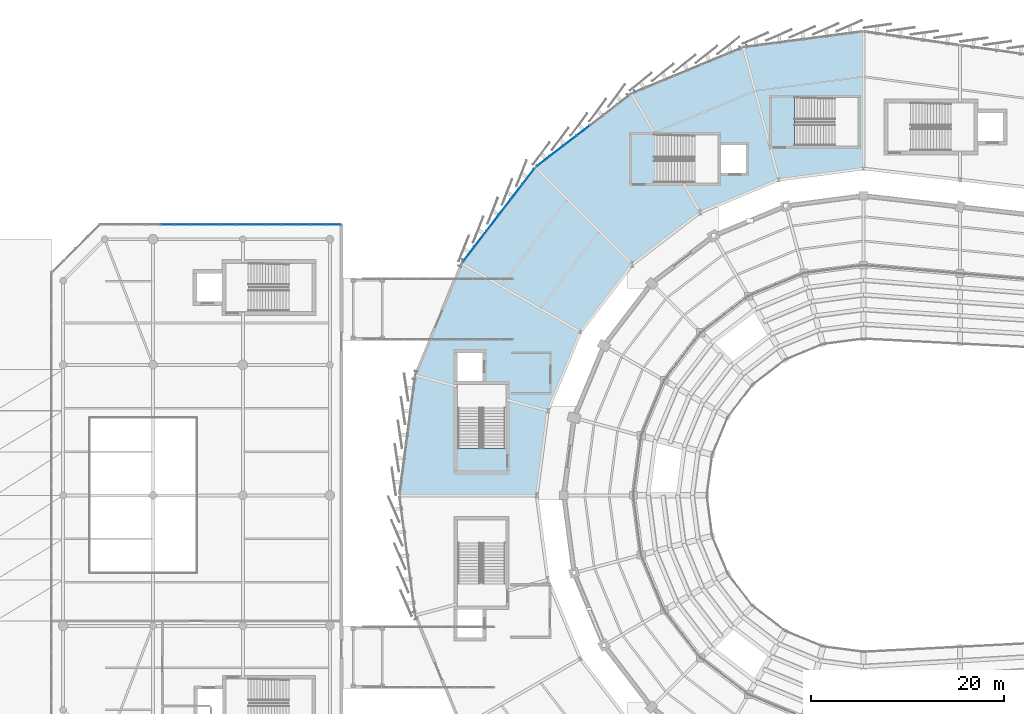
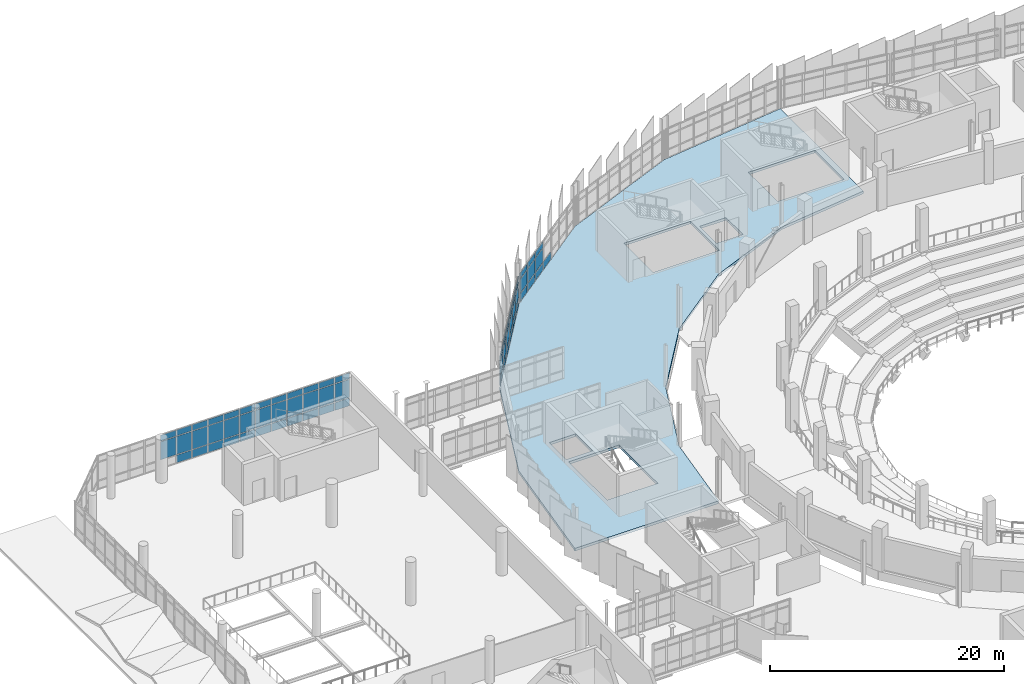
# One storey, part 92 of 134: 63 plates, 1 slab, 3 elements without a shape of their own.
"""IFC4 building model written with IfcOpenShell, lengths in metres."""

from ifc_helpers import new_model, si_unit, direction, frame, origin, origin_2d, place, context, subcontext, project, spatial, polyline, rectangle, outline, extrude, material, layer, layer_set, type_object, element, aggregate, save


model = new_model("IFC4")

# Units and contexts
model_context = context("Model", 3, precision=1e-05, world=origin(), true_north=direction((0.0, 1.0)))
body_context = subcontext(model_context, "Body", "Model", "MODEL_VIEW")
ifc_project = project(units=[si_unit("LENGTHUNIT", "METRE"), si_unit("AREAUNIT", "SQUARE_METRE"), si_unit("VOLUMEUNIT", "CUBIC_METRE"), si_unit("PLANEANGLEUNIT", "RADIAN"), si_unit("MASSUNIT", "GRAM", prefix="KILO")], contexts=[model_context])

# Site, building, storey
site_placement = place(None, origin())
site = spatial("IfcSite", under=ifc_project, at=site_placement, CompositionType="ELEMENT")
building_placement = place(site_placement, origin())
building = spatial("IfcBuilding", under=site, at=building_placement, Name="Sohan Crest Arena", CompositionType="ELEMENT")
storey_placement = place(building_placement, frame((0.0, 0.0, 4.5)))
storey = spatial("IfcBuildingStorey", under=building, at=storey_placement, Name="L01", CompositionType="ELEMENT", Elevation=4.5)

# Curtain wall, plates
ifc_material_1 = material(Name="Thermally broken anodised aluminium", Category="aluminium")
ifc_layer_1 = layer(ifc_material_1, 0.199951171875, Name="Thermally broken anodised aluminium")
ifc_layer_set_1 = layer_set([ifc_layer_1], Name="Thermally broken anodised aluminium")
curtain_wall_type_1 = type_object("IfcCurtainWallType", Name="ARC-CW02", PredefinedType="NOTDEFINED", material=ifc_layer_set_1)
curtain_wall_1_placement = place(storey_placement, origin())
curtain_wall_1 = element("IfcCurtainWall", 1, at=curtain_wall_1_placement, inside=storey, type_object=curtain_wall_type_1, Name="Unitised curtain wall CW-207", PredefinedType="NOTDEFINED")
ifc_material_2 = material(Name="Low-E double-glazed insulated glass", Category="glass")
ifc_layer_2 = layer(ifc_material_2, 0.028076171875, Name="Low-E double-glazed insulated glass")
ifc_layer_set_2 = layer_set([ifc_layer_2], Name="Low-E double-glazed insulated glass")
plate_type_1 = type_object("IfcPlateType", Name="ARC-CNP01", PredefinedType="CURTAIN_PANEL", material=ifc_layer_set_2)
plate_1_placement = place(storey_placement, frame((43.202392578125, 106.0, 0.06005859375), z_axis=(0.0, 0.0, 1.0), x_axis=(-1.0, 0.0, 0.0)))
plate_1 = element("IfcPlate", 2, at=plate_1_placement, type_object=plate_type_1, Name="CW-207 panel 1.1", PredefinedType="CURTAIN_PANEL", context=body_context, shape_type="SweptSolid", body=[
    extrude(rectangle(XDim=1.465087890625, YDim=0.028076171875, at=origin_2d()), origin(), (0.0, 0.0, 1.0), 0.81005859375),
])
plate_2_placement = place(storey_placement, frame((43.202392578125, 106.0, 0.93017578125), z_axis=(0.0, 0.0, 1.0), x_axis=(-1.0, 0.0, 0.0)))
plate_2 = element("IfcPlate", 3, at=plate_2_placement, type_object=plate_type_1, Name="CW-207 panel 1.2", PredefinedType="CURTAIN_PANEL", context=body_context, shape_type="SweptSolid", body=[
    extrude(rectangle(XDim=1.465087890625, YDim=0.028076171875, at=origin_2d()), origin(), (0.0, 0.0, 1.0), 1.889892578125),
])
plate_3_placement = place(storey_placement, frame((43.202392578125, 106.0, 2.8798828125), z_axis=(0.0, 0.0, 1.0), x_axis=(-1.0, 0.0, 0.0)))
plate_3 = element("IfcPlate", 4, at=plate_3_placement, type_object=plate_type_1, Name="CW-207 panel 1.3", PredefinedType="CURTAIN_PANEL", context=body_context, shape_type="SweptSolid", body=[
    extrude(rectangle(XDim=1.465087890625, YDim=0.028076171875, at=origin_2d()), origin(), (0.0, 0.0, 1.0), 0.610107421875),
])
plate_4_placement = place(storey_placement, frame((41.65625, 106.0, 0.06005859375), z_axis=(0.0, 0.0, 1.0), x_axis=(-1.0, 0.0, 0.0)))
plate_4 = element("IfcPlate", 5, at=plate_4_placement, type_object=plate_type_1, Name="CW-207 panel 2.1", PredefinedType="CURTAIN_PANEL", context=body_context, shape_type="SweptSolid", body=[
    extrude(rectangle(XDim=1.49755859375, YDim=0.028076171875, at=origin_2d()), origin(), (0.0, 0.0, 1.0), 0.81005859375),
])
plate_5_placement = place(storey_placement, frame((41.65625, 106.0, 0.93017578125), z_axis=(0.0, 0.0, 1.0), x_axis=(-1.0, 0.0, 0.0)))
plate_5 = element("IfcPlate", 6, at=plate_5_placement, type_object=plate_type_1, Name="CW-207 panel 2.2", PredefinedType="CURTAIN_PANEL", context=body_context, shape_type="SweptSolid", body=[
    extrude(rectangle(XDim=1.49755859375, YDim=0.028076171875, at=origin_2d()), origin(), (0.0, 0.0, 1.0), 1.889892578125),
])
plate_6_placement = place(storey_placement, frame((41.65625, 106.0, 2.8798828125), z_axis=(0.0, 0.0, 1.0), x_axis=(-1.0, 0.0, 0.0)))
plate_6 = element("IfcPlate", 7, at=plate_6_placement, type_object=plate_type_1, Name="CW-207 panel 2.3", PredefinedType="CURTAIN_PANEL", context=body_context, shape_type="SweptSolid", body=[
    extrude(rectangle(XDim=1.49755859375, YDim=0.028076171875, at=origin_2d()), origin(), (0.0, 0.0, 1.0), 0.610107421875),
])
plate_7_placement = place(storey_placement, frame((40.09375, 106.0, 0.06005859375), z_axis=(0.0, 0.0, 1.0), x_axis=(-1.0, 0.0, 0.0)))
plate_7 = element("IfcPlate", 8, at=plate_7_placement, type_object=plate_type_1, Name="CW-207 panel 3.1", PredefinedType="CURTAIN_PANEL", context=body_context, shape_type="SweptSolid", body=[
    extrude(rectangle(XDim=1.49755859375, YDim=0.028076171875, at=origin_2d()), origin(), (0.0, 0.0, 1.0), 0.81005859375),
])
plate_8_placement = place(storey_placement, frame((40.09375, 106.0, 0.93017578125), z_axis=(0.0, 0.0, 1.0), x_axis=(-1.0, 0.0, 0.0)))
plate_8 = element("IfcPlate", 9, at=plate_8_placement, type_object=plate_type_1, Name="CW-207 panel 3.2", PredefinedType="CURTAIN_PANEL", context=body_context, shape_type="SweptSolid", body=[
    extrude(rectangle(XDim=1.49755859375, YDim=0.028076171875, at=origin_2d()), origin(), (0.0, 0.0, 1.0), 1.889892578125),
])
plate_9_placement = place(storey_placement, frame((40.09375, 106.0, 2.8798828125), z_axis=(0.0, 0.0, 1.0), x_axis=(-1.0, 0.0, 0.0)))
plate_9 = element("IfcPlate", 10, at=plate_9_placement, type_object=plate_type_1, Name="CW-207 panel 3.3", PredefinedType="CURTAIN_PANEL", context=body_context, shape_type="SweptSolid", body=[
    extrude(rectangle(XDim=1.49755859375, YDim=0.028076171875, at=origin_2d()), origin(), (0.0, 0.0, 1.0), 0.610107421875),
])
plate_10_placement = place(storey_placement, frame((38.53125, 106.0, 0.06005859375), z_axis=(0.0, 0.0, 1.0), x_axis=(-1.0, 0.0, 0.0)))
plate_10 = element("IfcPlate", 11, at=plate_10_placement, type_object=plate_type_1, Name="CW-207 panel 4.1", PredefinedType="CURTAIN_PANEL", context=body_context, shape_type="SweptSolid", body=[
    extrude(rectangle(XDim=1.49755859375, YDim=0.028076171875, at=origin_2d()), origin(), (0.0, 0.0, 1.0), 0.81005859375),
])
plate_11_placement = place(storey_placement, frame((38.53125, 106.0, 0.93017578125), z_axis=(0.0, 0.0, 1.0), x_axis=(-1.0, 0.0, 0.0)))
plate_11 = element("IfcPlate", 12, at=plate_11_placement, type_object=plate_type_1, Name="CW-207 panel 4.2", PredefinedType="CURTAIN_PANEL", context=body_context, shape_type="SweptSolid", body=[
    extrude(rectangle(XDim=1.49755859375, YDim=0.028076171875, at=origin_2d()), origin(), (0.0, 0.0, 1.0), 1.889892578125),
])
plate_12_placement = place(storey_placement, frame((38.53125, 106.0, 2.8798828125), z_axis=(0.0, 0.0, 1.0), x_axis=(-1.0, 0.0, 0.0)))
plate_12 = element("IfcPlate", 13, at=plate_12_placement, type_object=plate_type_1, Name="CW-207 panel 4.3", PredefinedType="CURTAIN_PANEL", context=body_context, shape_type="SweptSolid", body=[
    extrude(rectangle(XDim=1.49755859375, YDim=0.028076171875, at=origin_2d()), origin(), (0.0, 0.0, 1.0), 0.610107421875),
])
plate_13_placement = place(storey_placement, frame((36.96875, 106.0, 0.06005859375), z_axis=(0.0, 0.0, 1.0), x_axis=(-1.0, 0.0, 0.0)))
plate_13 = element("IfcPlate", 14, at=plate_13_placement, type_object=plate_type_1, Name="CW-207 panel 5.1", PredefinedType="CURTAIN_PANEL", context=body_context, shape_type="SweptSolid", body=[
    extrude(rectangle(XDim=1.49755859375, YDim=0.028076171875, at=origin_2d()), origin(), (0.0, 0.0, 1.0), 0.81005859375),
])
plate_14_placement = place(storey_placement, frame((36.96875, 106.0, 0.93017578125), z_axis=(0.0, 0.0, 1.0), x_axis=(-1.0, 0.0, 0.0)))
plate_14 = element("IfcPlate", 15, at=plate_14_placement, type_object=plate_type_1, Name="CW-207 panel 5.2", PredefinedType="CURTAIN_PANEL", context=body_context, shape_type="SweptSolid", body=[
    extrude(rectangle(XDim=1.49755859375, YDim=0.028076171875, at=origin_2d()), origin(), (0.0, 0.0, 1.0), 1.889892578125),
])
plate_15_placement = place(storey_placement, frame((36.96875, 106.0, 2.8798828125), z_axis=(0.0, 0.0, 1.0), x_axis=(-1.0, 0.0, 0.0)))
plate_15 = element("IfcPlate", 16, at=plate_15_placement, type_object=plate_type_1, Name="CW-207 panel 5.3", PredefinedType="CURTAIN_PANEL", context=body_context, shape_type="SweptSolid", body=[
    extrude(rectangle(XDim=1.49755859375, YDim=0.028076171875, at=origin_2d()), origin(), (0.0, 0.0, 1.0), 0.610107421875),
])
plate_16_placement = place(storey_placement, frame((35.40625, 106.0, 0.06005859375), z_axis=(0.0, 0.0, 1.0), x_axis=(-1.0, 0.0, 0.0)))
plate_16 = element("IfcPlate", 17, at=plate_16_placement, type_object=plate_type_1, Name="CW-207 panel 6.1", PredefinedType="CURTAIN_PANEL", context=body_context, shape_type="SweptSolid", body=[
    extrude(rectangle(XDim=1.49755859375, YDim=0.028076171875, at=origin_2d()), origin(), (0.0, 0.0, 1.0), 0.81005859375),
])
plate_17_placement = place(storey_placement, frame((35.40625, 106.0, 0.93017578125), z_axis=(0.0, 0.0, 1.0), x_axis=(-1.0, 0.0, 0.0)))
plate_17 = element("IfcPlate", 18, at=plate_17_placement, type_object=plate_type_1, Name="CW-207 panel 6.2", PredefinedType="CURTAIN_PANEL", context=body_context, shape_type="SweptSolid", body=[
    extrude(rectangle(XDim=1.49755859375, YDim=0.028076171875, at=origin_2d()), origin(), (0.0, 0.0, 1.0), 1.889892578125),
])
plate_18_placement = place(storey_placement, frame((35.40625, 106.0, 2.8798828125), z_axis=(0.0, 0.0, 1.0), x_axis=(-1.0, 0.0, 0.0)))
plate_18 = element("IfcPlate", 19, at=plate_18_placement, type_object=plate_type_1, Name="CW-207 panel 6.3", PredefinedType="CURTAIN_PANEL", context=body_context, shape_type="SweptSolid", body=[
    extrude(rectangle(XDim=1.49755859375, YDim=0.028076171875, at=origin_2d()), origin(), (0.0, 0.0, 1.0), 0.610107421875),
])
plate_19_placement = place(storey_placement, frame((33.84375, 106.0, 0.06005859375), z_axis=(0.0, 0.0, 1.0), x_axis=(-1.0, 0.0, 0.0)))
plate_19 = element("IfcPlate", 20, at=plate_19_placement, type_object=plate_type_1, Name="CW-207 panel 7.1", PredefinedType="CURTAIN_PANEL", context=body_context, shape_type="SweptSolid", body=[
    extrude(rectangle(XDim=1.49755859375, YDim=0.028076171875, at=origin_2d()), origin(), (0.0, 0.0, 1.0), 0.81005859375),
])
plate_20_placement = place(storey_placement, frame((33.84375, 106.0, 0.93017578125), z_axis=(0.0, 0.0, 1.0), x_axis=(-1.0, 0.0, 0.0)))
plate_20 = element("IfcPlate", 21, at=plate_20_placement, type_object=plate_type_1, Name="CW-207 panel 7.2", PredefinedType="CURTAIN_PANEL", context=body_context, shape_type="SweptSolid", body=[
    extrude(rectangle(XDim=1.49755859375, YDim=0.028076171875, at=origin_2d()), origin(), (0.0, 0.0, 1.0), 1.889892578125),
])
plate_21_placement = place(storey_placement, frame((33.84375, 106.0, 2.8798828125), z_axis=(0.0, 0.0, 1.0), x_axis=(-1.0, 0.0, 0.0)))
plate_21 = element("IfcPlate", 22, at=plate_21_placement, type_object=plate_type_1, Name="CW-207 panel 7.3", PredefinedType="CURTAIN_PANEL", context=body_context, shape_type="SweptSolid", body=[
    extrude(rectangle(XDim=1.49755859375, YDim=0.028076171875, at=origin_2d()), origin(), (0.0, 0.0, 1.0), 0.610107421875),
])
plate_22_placement = place(storey_placement, frame((32.28125, 106.0, 0.06005859375), z_axis=(0.0, 0.0, 1.0), x_axis=(-1.0, 0.0, 0.0)))
plate_22 = element("IfcPlate", 23, at=plate_22_placement, type_object=plate_type_1, Name="CW-207 panel 8.1", PredefinedType="CURTAIN_PANEL", context=body_context, shape_type="SweptSolid", body=[
    extrude(rectangle(XDim=1.49755859375, YDim=0.028076171875, at=origin_2d()), origin(), (0.0, 0.0, 1.0), 0.81005859375),
])
plate_23_placement = place(storey_placement, frame((32.28125, 106.0, 0.93017578125), z_axis=(0.0, 0.0, 1.0), x_axis=(-1.0, 0.0, 0.0)))
plate_23 = element("IfcPlate", 24, at=plate_23_placement, type_object=plate_type_1, Name="CW-207 panel 8.2", PredefinedType="CURTAIN_PANEL", context=body_context, shape_type="SweptSolid", body=[
    extrude(rectangle(XDim=1.49755859375, YDim=0.028076171875, at=origin_2d()), origin(), (0.0, 0.0, 1.0), 1.889892578125),
])
plate_24_placement = place(storey_placement, frame((32.28125, 106.0, 2.8798828125), z_axis=(0.0, 0.0, 1.0), x_axis=(-1.0, 0.0, 0.0)))
plate_24 = element("IfcPlate", 25, at=plate_24_placement, type_object=plate_type_1, Name="CW-207 panel 8.3", PredefinedType="CURTAIN_PANEL", context=body_context, shape_type="SweptSolid", body=[
    extrude(rectangle(XDim=1.49755859375, YDim=0.028076171875, at=origin_2d()), origin(), (0.0, 0.0, 1.0), 0.610107421875),
])
plate_25_placement = place(storey_placement, frame((30.71875, 106.0, 0.06005859375), z_axis=(0.0, 0.0, 1.0), x_axis=(-1.0, 0.0, 0.0)))
plate_25 = element("IfcPlate", 26, at=plate_25_placement, type_object=plate_type_1, Name="CW-207 panel 9.1", PredefinedType="CURTAIN_PANEL", context=body_context, shape_type="SweptSolid", body=[
    extrude(rectangle(XDim=1.49755859375, YDim=0.028076171875, at=origin_2d()), origin(), (0.0, 0.0, 1.0), 0.81005859375),
])
plate_26_placement = place(storey_placement, frame((30.71875, 106.0, 0.93017578125), z_axis=(0.0, 0.0, 1.0), x_axis=(-1.0, 0.0, 0.0)))
plate_26 = element("IfcPlate", 27, at=plate_26_placement, type_object=plate_type_1, Name="CW-207 panel 9.2", PredefinedType="CURTAIN_PANEL", context=body_context, shape_type="SweptSolid", body=[
    extrude(rectangle(XDim=1.49755859375, YDim=0.028076171875, at=origin_2d()), origin(), (0.0, 0.0, 1.0), 1.889892578125),
])
plate_27_placement = place(storey_placement, frame((30.71875, 106.0, 2.8798828125), z_axis=(0.0, 0.0, 1.0), x_axis=(-1.0, 0.0, 0.0)))
plate_27 = element("IfcPlate", 28, at=plate_27_placement, type_object=plate_type_1, Name="CW-207 panel 9.3", PredefinedType="CURTAIN_PANEL", context=body_context, shape_type="SweptSolid", body=[
    extrude(rectangle(XDim=1.49755859375, YDim=0.028076171875, at=origin_2d()), origin(), (0.0, 0.0, 1.0), 0.610107421875),
])
plate_28_placement = place(storey_placement, frame((29.15625, 106.0, 0.06005859375), z_axis=(0.0, 0.0, 1.0), x_axis=(-1.0, 0.0, 0.0)))
plate_28 = element("IfcPlate", 29, at=plate_28_placement, type_object=plate_type_1, Name="CW-207 panel 10.1", PredefinedType="CURTAIN_PANEL", context=body_context, shape_type="SweptSolid", body=[
    extrude(rectangle(XDim=1.49755859375, YDim=0.028076171875, at=origin_2d()), origin(), (0.0, 0.0, 1.0), 0.81005859375),
])
plate_29_placement = place(storey_placement, frame((29.15625, 106.0, 0.93017578125), z_axis=(0.0, 0.0, 1.0), x_axis=(-1.0, 0.0, 0.0)))
plate_29 = element("IfcPlate", 30, at=plate_29_placement, type_object=plate_type_1, Name="CW-207 panel 10.2", PredefinedType="CURTAIN_PANEL", context=body_context, shape_type="SweptSolid", body=[
    extrude(rectangle(XDim=1.49755859375, YDim=0.028076171875, at=origin_2d()), origin(), (0.0, 0.0, 1.0), 1.889892578125),
])
plate_30_placement = place(storey_placement, frame((29.15625, 106.0, 2.8798828125), z_axis=(0.0, 0.0, 1.0), x_axis=(-1.0, 0.0, 0.0)))
plate_30 = element("IfcPlate", 31, at=plate_30_placement, type_object=plate_type_1, Name="CW-207 panel 10.3", PredefinedType="CURTAIN_PANEL", context=body_context, shape_type="SweptSolid", body=[
    extrude(rectangle(XDim=1.49755859375, YDim=0.028076171875, at=origin_2d()), origin(), (0.0, 0.0, 1.0), 0.610107421875),
])
plate_31_placement = place(storey_placement, frame((27.59375, 106.0, 0.06005859375), z_axis=(0.0, 0.0, 1.0), x_axis=(-1.0, 0.0, 0.0)))
plate_31 = element("IfcPlate", 32, at=plate_31_placement, type_object=plate_type_1, Name="CW-207 panel 11.1", PredefinedType="CURTAIN_PANEL", context=body_context, shape_type="SweptSolid", body=[
    extrude(rectangle(XDim=1.49755859375, YDim=0.028076171875, at=origin_2d()), origin(), (0.0, 0.0, 1.0), 0.81005859375),
])
plate_32_placement = place(storey_placement, frame((27.59375, 106.0, 0.93017578125), z_axis=(0.0, 0.0, 1.0), x_axis=(-1.0, 0.0, 0.0)))
plate_32 = element("IfcPlate", 33, at=plate_32_placement, type_object=plate_type_1, Name="CW-207 panel 11.2", PredefinedType="CURTAIN_PANEL", context=body_context, shape_type="SweptSolid", body=[
    extrude(rectangle(XDim=1.49755859375, YDim=0.028076171875, at=origin_2d()), origin(), (0.0, 0.0, 1.0), 1.889892578125),
])
plate_33_placement = place(storey_placement, frame((27.59375, 106.0, 2.8798828125), z_axis=(0.0, 0.0, 1.0), x_axis=(-1.0, 0.0, 0.0)))
plate_33 = element("IfcPlate", 34, at=plate_33_placement, type_object=plate_type_1, Name="CW-207 panel 11.3", PredefinedType="CURTAIN_PANEL", context=body_context, shape_type="SweptSolid", body=[
    extrude(rectangle(XDim=1.49755859375, YDim=0.028076171875, at=origin_2d()), origin(), (0.0, 0.0, 1.0), 0.610107421875),
])
plate_34_placement = place(storey_placement, frame((26.03125, 106.0, 0.93017578125), z_axis=(0.0, 0.0, 1.0), x_axis=(-1.0, 0.0, 0.0)))
plate_34 = element("IfcPlate", 35, at=plate_34_placement, type_object=plate_type_1, Name="CW-207 panel 12.2", PredefinedType="CURTAIN_PANEL", context=body_context, shape_type="SweptSolid", body=[
    extrude(rectangle(XDim=1.49755859375, YDim=0.028076171875, at=origin_2d()), origin(), (0.0, 0.0, 1.0), 1.889892578125),
])
plate_35_placement = place(storey_placement, frame((26.03125, 106.0, 2.8798828125), z_axis=(0.0, 0.0, 1.0), x_axis=(-1.0, 0.0, 0.0)))
plate_35 = element("IfcPlate", 36, at=plate_35_placement, type_object=plate_type_1, Name="CW-207 panel 12.3", PredefinedType="CURTAIN_PANEL", context=body_context, shape_type="SweptSolid", body=[
    extrude(rectangle(XDim=1.49755859375, YDim=0.028076171875, at=origin_2d()), origin(), (0.0, 0.0, 1.0), 0.610107421875),
])
aggregate(curtain_wall_1, [plate_1, plate_2, plate_3, plate_4, plate_5, plate_6, plate_7, plate_8, plate_9, plate_10, plate_11, plate_12, plate_13, plate_14, plate_15, plate_16, plate_17, plate_18, plate_19, plate_20, plate_21, plate_22, plate_23, plate_24, plate_25, plate_26, plate_27, plate_28, plate_29, plate_30, plate_31, plate_32, plate_33, plate_34, plate_35])

ifc_layer_3 = layer(ifc_material_1, 0.219970703125, Name="Thermally broken anodised aluminium")
ifc_layer_set_3 = layer_set([ifc_layer_3], Name="Thermally broken anodised aluminium")
curtain_wall_type_2 = type_object("IfcCurtainWallType", Name="ARC-CW03", PredefinedType="NOTDEFINED", material=ifc_layer_set_3)
curtain_wall_2_placement = place(storey_placement, origin())
curtain_wall_2 = element("IfcCurtainWall", 37, at=curtain_wall_2_placement, inside=storey, type_object=curtain_wall_type_2, Name="Unitised curtain wall CW-022", PredefinedType="NOTDEFINED")
ifc_material_3 = material(Name="Ceramic-fritted solar-control insulated glass", Category="glass")
ifc_layer_4 = layer(ifc_material_3, 0.035888671875, Name="Ceramic-fritted solar-control insulated glass")
ifc_layer_set_4 = layer_set([ifc_layer_4], Name="Ceramic-fritted solar-control insulated glass")
plate_type_2 = type_object("IfcPlateType", Name="ARC-CNP03", PredefinedType="CURTAIN_PANEL", material=ifc_layer_set_4)
plate_36_placement = place(storey_placement, frame((69.029541015625, 115.7548828125, 0.070068359375), z_axis=(0.0, 0.0, 1.0), x_axis=(-0.793350515411, -0.608765110447, 0.0)))
plate_36 = element("IfcPlate", 38, at=plate_36_placement, type_object=plate_type_2, Name="CW-022 panel 4.1", PredefinedType="CURTAIN_PANEL", context=body_context, shape_type="SweptSolid", body=[
    extrude(rectangle(XDim=1.682861328125, YDim=0.035888671875, at=origin_2d()), origin(), (0.0, 0.0, 1.0), 0.794921875),
])
plate_37_placement = place(storey_placement, frame((67.638671875, 114.687744140625, 0.070068359375), z_axis=(0.0, 0.0, 1.0), x_axis=(-0.793350515411, -0.608765110447, 0.0)))
plate_37 = element("IfcPlate", 39, at=plate_37_placement, type_object=plate_type_2, Name="CW-022 panel 5.1", PredefinedType="CURTAIN_PANEL", context=body_context, shape_type="SweptSolid", body=[
    extrude(rectangle(XDim=1.682861328125, YDim=0.035888671875, at=origin_2d()), origin(), (0.0, 0.0, 1.0), 0.794921875),
])
plate_38_placement = place(storey_placement, frame((67.638671875, 114.687744140625, 0.93505859375), z_axis=(0.0, 0.0, 1.0), x_axis=(-0.793350515411, -0.608765110447, 0.0)))
plate_38 = element("IfcPlate", 40, at=plate_38_placement, type_object=plate_type_2, Name="CW-022 panel 5.2", PredefinedType="CURTAIN_PANEL", context=body_context, shape_type="SweptSolid", body=[
    extrude(rectangle(XDim=1.682861328125, YDim=0.035888671875, at=origin_2d()), origin(), (0.0, 0.0, 1.0), 1.449951171875),
])
plate_39_placement = place(storey_placement, frame((67.638671875, 114.687744140625, 2.455078125), z_axis=(0.0, 0.0, 1.0), x_axis=(-0.793350515411, -0.608765110447, 0.0)))
plate_39 = element("IfcPlate", 41, at=plate_39_placement, type_object=plate_type_2, Name="CW-022 panel 5.3", PredefinedType="CURTAIN_PANEL", context=body_context, shape_type="SweptSolid", body=[
    extrude(rectangle(XDim=1.682861328125, YDim=0.035888671875, at=origin_2d()), origin(), (0.0, 0.0, 1.0), 0.594970703125),
])
plate_40_placement = place(storey_placement, frame((66.248046875, 113.62060546875, 0.070068359375), z_axis=(0.0, 0.0, 1.0), x_axis=(-0.793350515411, -0.608765110447, 0.0)))
plate_40 = element("IfcPlate", 42, at=plate_40_placement, type_object=plate_type_2, Name="CW-022 panel 6.1", PredefinedType="CURTAIN_PANEL", context=body_context, shape_type="SweptSolid", body=[
    extrude(rectangle(XDim=1.682861328125, YDim=0.035888671875, at=origin_2d()), origin(), (0.0, 0.0, 1.0), 0.794921875),
])
plate_41_placement = place(storey_placement, frame((66.248046875, 113.62060546875, 0.93505859375), z_axis=(0.0, 0.0, 1.0), x_axis=(-0.793350515411, -0.608765110447, 0.0)))
plate_41 = element("IfcPlate", 43, at=plate_41_placement, type_object=plate_type_2, Name="CW-022 panel 6.2", PredefinedType="CURTAIN_PANEL", context=body_context, shape_type="SweptSolid", body=[
    extrude(rectangle(XDim=1.682861328125, YDim=0.035888671875, at=origin_2d()), origin(), (0.0, 0.0, 1.0), 1.449951171875),
])
plate_42_placement = place(storey_placement, frame((66.248046875, 113.62060546875, 2.455078125), z_axis=(0.0, 0.0, 1.0), x_axis=(-0.793350515411, -0.608765110447, 0.0)))
plate_42 = element("IfcPlate", 44, at=plate_42_placement, type_object=plate_type_2, Name="CW-022 panel 6.3", PredefinedType="CURTAIN_PANEL", context=body_context, shape_type="SweptSolid", body=[
    extrude(rectangle(XDim=1.682861328125, YDim=0.035888671875, at=origin_2d()), origin(), (0.0, 0.0, 1.0), 0.594970703125),
])
plate_43_placement = place(storey_placement, frame((64.871337890625, 112.564208984375, 0.070068359375), z_axis=(0.0, 0.0, 1.0), x_axis=(-0.793350515411, -0.608765110447, 0.0)))
plate_43 = element("IfcPlate", 45, at=plate_43_placement, type_object=plate_type_2, Name="CW-022 panel 7.1", PredefinedType="CURTAIN_PANEL", context=body_context, shape_type="SweptSolid", body=[
    extrude(rectangle(XDim=1.64794921875, YDim=0.035888671875, at=origin_2d()), origin(), (0.0, 0.0, 1.0), 0.794921875),
])
plate_44_placement = place(storey_placement, frame((64.871337890625, 112.564208984375, 0.93505859375), z_axis=(0.0, 0.0, 1.0), x_axis=(-0.793350515411, -0.608765110447, 0.0)))
plate_44 = element("IfcPlate", 46, at=plate_44_placement, type_object=plate_type_2, Name="CW-022 panel 7.2", PredefinedType="CURTAIN_PANEL", context=body_context, shape_type="SweptSolid", body=[
    extrude(rectangle(XDim=1.64794921875, YDim=0.035888671875, at=origin_2d()), origin(), (0.0, 0.0, 1.0), 1.449951171875),
])
plate_45_placement = place(storey_placement, frame((64.871337890625, 112.564208984375, 2.455078125), z_axis=(0.0, 0.0, 1.0), x_axis=(-0.793350515411, -0.608765110447, 0.0)))
plate_45 = element("IfcPlate", 47, at=plate_45_placement, type_object=plate_type_2, Name="CW-022 panel 7.3", PredefinedType="CURTAIN_PANEL", context=body_context, shape_type="SweptSolid", body=[
    extrude(rectangle(XDim=1.64794921875, YDim=0.035888671875, at=origin_2d()), origin(), (0.0, 0.0, 1.0), 0.594970703125),
])
aggregate(curtain_wall_2, [plate_36, plate_37, plate_38, plate_39, plate_40, plate_41, plate_42, plate_43, plate_44, plate_45])

ifc_layer_5 = layer(ifc_material_1, 0.239990234375, Name="Thermally broken anodised aluminium")
ifc_layer_set_5 = layer_set([ifc_layer_5], Name="Thermally broken anodised aluminium")
curtain_wall_type_3 = type_object("IfcCurtainWallType", Name="ARC-CW04", PredefinedType="NOTDEFINED", material=ifc_layer_set_5)
curtain_wall_3_placement = place(storey_placement, origin())
curtain_wall_3 = element("IfcCurtainWall", 48, at=curtain_wall_3_placement, inside=storey, type_object=curtain_wall_type_3, Name="Unitised curtain wall CW-023", PredefinedType="NOTDEFINED")
ifc_material_4 = material(Name="Insulated polychrome ceramic spandrel panel", Category="masonry")
ifc_layer_6 = layer(ifc_material_4, 0.0419921875, Name="Insulated polychrome ceramic spandrel panel")
ifc_layer_set_6 = layer_set([ifc_layer_6], Name="Insulated polychrome ceramic spandrel panel")
plate_type_3 = type_object("IfcPlateType", Name="ARC-CNP04", PredefinedType="CURTAIN_PANEL", material=ifc_layer_set_6)
plate_46_placement = place(storey_placement, frame((63.34619140625, 111.011962890625, 0.06005859375), z_axis=(0.0, 0.0, 1.0), x_axis=(-0.608765110447, -0.793350515411, 0.0)))
plate_46 = element("IfcPlate", 49, at=plate_46_placement, type_object=plate_type_3, Name="CW-023 panel 1.1", PredefinedType="CURTAIN_PANEL", context=body_context, shape_type="SweptSolid", body=[
    extrude(rectangle(XDim=1.9326171875, YDim=0.0419921875, at=origin_2d()), origin(), (0.0, 0.0, 1.0), 0.81005859375),
])
plate_47_placement = place(storey_placement, frame((63.34619140625, 111.011962890625, 0.929931640625), z_axis=(0.0, 0.0, 1.0), x_axis=(-0.608765110447, -0.793350515411, 0.0)))
plate_47 = element("IfcPlate", 50, at=plate_47_placement, type_object=plate_type_3, Name="CW-023 panel 1.2", PredefinedType="CURTAIN_PANEL", context=body_context, shape_type="SweptSolid", body=[
    extrude(rectangle(XDim=1.9326171875, YDim=0.0419921875, at=origin_2d()), origin(), (0.0, 0.0, 1.0), 1.4599609375),
])
plate_48_placement = place(storey_placement, frame((63.34619140625, 111.011962890625, 2.44970703125), z_axis=(0.0, 0.0, 1.0), x_axis=(-0.608765110447, -0.793350515411, 0.0)))
plate_48 = element("IfcPlate", 51, at=plate_48_placement, type_object=plate_type_3, Name="CW-023 panel 1.3", PredefinedType="CURTAIN_PANEL", context=body_context, shape_type="SweptSolid", body=[
    extrude(rectangle(XDim=1.9326171875, YDim=0.0419921875, at=origin_2d()), origin(), (0.0, 0.0, 1.0), 0.610107421875),
])
plate_49_placement = place(storey_placement, frame((62.112548828125, 109.404296875, 0.06005859375), z_axis=(0.0, 0.0, 1.0), x_axis=(-0.608765110447, -0.793350515411, 0.0)))
plate_49 = element("IfcPlate", 52, at=plate_49_placement, type_object=plate_type_3, Name="CW-023 panel 2.1", PredefinedType="CURTAIN_PANEL", context=body_context, shape_type="SweptSolid", body=[
    extrude(rectangle(XDim=1.97021484375, YDim=0.0419921875, at=origin_2d()), origin(), (0.0, 0.0, 1.0), 0.81005859375),
])
plate_50_placement = place(storey_placement, frame((62.112548828125, 109.404296875, 0.929931640625), z_axis=(0.0, 0.0, 1.0), x_axis=(-0.608765110447, -0.793350515411, 0.0)))
plate_50 = element("IfcPlate", 53, at=plate_50_placement, type_object=plate_type_3, Name="CW-023 panel 2.2", PredefinedType="CURTAIN_PANEL", context=body_context, shape_type="SweptSolid", body=[
    extrude(rectangle(XDim=1.97021484375, YDim=0.0419921875, at=origin_2d()), origin(), (0.0, 0.0, 1.0), 1.4599609375),
])
plate_51_placement = place(storey_placement, frame((62.112548828125, 109.404296875, 2.44970703125), z_axis=(0.0, 0.0, 1.0), x_axis=(-0.608765110447, -0.793350515411, 0.0)))
plate_51 = element("IfcPlate", 54, at=plate_51_placement, type_object=plate_type_3, Name="CW-023 panel 2.3", PredefinedType="CURTAIN_PANEL", context=body_context, shape_type="SweptSolid", body=[
    extrude(rectangle(XDim=1.97021484375, YDim=0.0419921875, at=origin_2d()), origin(), (0.0, 0.0, 1.0), 0.610107421875),
])
plate_52_placement = place(storey_placement, frame((60.867431640625, 107.78173828125, 0.06005859375), z_axis=(0.0, 0.0, 1.0), x_axis=(-0.608765110447, -0.793350515411, 0.0)))
plate_52 = element("IfcPlate", 55, at=plate_52_placement, type_object=plate_type_3, Name="CW-023 panel 3.1", PredefinedType="CURTAIN_PANEL", context=body_context, shape_type="SweptSolid", body=[
    extrude(rectangle(XDim=1.97021484375, YDim=0.0419921875, at=origin_2d()), origin(), (0.0, 0.0, 1.0), 0.81005859375),
])
plate_53_placement = place(storey_placement, frame((60.867431640625, 107.78173828125, 0.929931640625), z_axis=(0.0, 0.0, 1.0), x_axis=(-0.608765110447, -0.793350515411, 0.0)))
plate_53 = element("IfcPlate", 56, at=plate_53_placement, type_object=plate_type_3, Name="CW-023 panel 3.2", PredefinedType="CURTAIN_PANEL", context=body_context, shape_type="SweptSolid", body=[
    extrude(rectangle(XDim=1.97021484375, YDim=0.0419921875, at=origin_2d()), origin(), (0.0, 0.0, 1.0), 1.4599609375),
])
plate_54_placement = place(storey_placement, frame((60.867431640625, 107.78173828125, 2.44970703125), z_axis=(0.0, 0.0, 1.0), x_axis=(-0.608765110447, -0.793350515411, 0.0)))
plate_54 = element("IfcPlate", 57, at=plate_54_placement, type_object=plate_type_3, Name="CW-023 panel 3.3", PredefinedType="CURTAIN_PANEL", context=body_context, shape_type="SweptSolid", body=[
    extrude(rectangle(XDim=1.97021484375, YDim=0.0419921875, at=origin_2d()), origin(), (0.0, 0.0, 1.0), 0.610107421875),
])
plate_55_placement = place(storey_placement, frame((59.62255859375, 106.1591796875, 0.06005859375), z_axis=(0.0, 0.0, 1.0), x_axis=(-0.608765110447, -0.793350515411, 0.0)))
plate_55 = element("IfcPlate", 58, at=plate_55_placement, type_object=plate_type_3, Name="CW-023 panel 4.1", PredefinedType="CURTAIN_PANEL", context=body_context, shape_type="SweptSolid", body=[
    extrude(rectangle(XDim=1.97021484375, YDim=0.0419921875, at=origin_2d()), origin(), (0.0, 0.0, 1.0), 0.81005859375),
])
plate_56_placement = place(storey_placement, frame((59.62255859375, 106.1591796875, 0.929931640625), z_axis=(0.0, 0.0, 1.0), x_axis=(-0.608765110447, -0.793350515411, 0.0)))
plate_56 = element("IfcPlate", 59, at=plate_56_placement, type_object=plate_type_3, Name="CW-023 panel 4.2", PredefinedType="CURTAIN_PANEL", context=body_context, shape_type="SweptSolid", body=[
    extrude(rectangle(XDim=1.97021484375, YDim=0.0419921875, at=origin_2d()), origin(), (0.0, 0.0, 1.0), 1.4599609375),
])
plate_57_placement = place(storey_placement, frame((59.62255859375, 106.1591796875, 2.44970703125), z_axis=(0.0, 0.0, 1.0), x_axis=(-0.608765110447, -0.793350515411, 0.0)))
plate_57 = element("IfcPlate", 60, at=plate_57_placement, type_object=plate_type_3, Name="CW-023 panel 4.3", PredefinedType="CURTAIN_PANEL", context=body_context, shape_type="SweptSolid", body=[
    extrude(rectangle(XDim=1.97021484375, YDim=0.0419921875, at=origin_2d()), origin(), (0.0, 0.0, 1.0), 0.610107421875),
])
plate_58_placement = place(storey_placement, frame((58.37744140625, 104.536865234375, 0.06005859375), z_axis=(0.0, 0.0, 1.0), x_axis=(-0.608765110447, -0.793350515411, 0.0)))
plate_58 = element("IfcPlate", 61, at=plate_58_placement, type_object=plate_type_3, Name="CW-023 panel 5.1", PredefinedType="CURTAIN_PANEL", context=body_context, shape_type="SweptSolid", body=[
    extrude(rectangle(XDim=1.97021484375, YDim=0.0419921875, at=origin_2d()), origin(), (0.0, 0.0, 1.0), 0.81005859375),
])
plate_59_placement = place(storey_placement, frame((58.37744140625, 104.536865234375, 0.929931640625), z_axis=(0.0, 0.0, 1.0), x_axis=(-0.608765110447, -0.793350515411, 0.0)))
plate_59 = element("IfcPlate", 62, at=plate_59_placement, type_object=plate_type_3, Name="CW-023 panel 5.2", PredefinedType="CURTAIN_PANEL", context=body_context, shape_type="SweptSolid", body=[
    extrude(rectangle(XDim=1.97021484375, YDim=0.0419921875, at=origin_2d()), origin(), (0.0, 0.0, 1.0), 1.4599609375),
])
plate_60_placement = place(storey_placement, frame((58.37744140625, 104.536865234375, 2.44970703125), z_axis=(0.0, 0.0, 1.0), x_axis=(-0.608765110447, -0.793350515411, 0.0)))
plate_60 = element("IfcPlate", 63, at=plate_60_placement, type_object=plate_type_3, Name="CW-023 panel 5.3", PredefinedType="CURTAIN_PANEL", context=body_context, shape_type="SweptSolid", body=[
    extrude(rectangle(XDim=1.97021484375, YDim=0.0419921875, at=origin_2d()), origin(), (0.0, 0.0, 1.0), 0.610107421875),
])
plate_61_placement = place(storey_placement, frame((57.143798828125, 102.92919921875, 0.06005859375), z_axis=(0.0, 0.0, 1.0), x_axis=(-0.608765110447, -0.793350515411, 0.0)))
plate_61 = element("IfcPlate", 64, at=plate_61_placement, type_object=plate_type_3, Name="CW-023 panel 6.1", PredefinedType="CURTAIN_PANEL", context=body_context, shape_type="SweptSolid", body=[
    extrude(rectangle(XDim=1.9326171875, YDim=0.0419921875, at=origin_2d()), origin(), (0.0, 0.0, 1.0), 0.81005859375),
])
plate_62_placement = place(storey_placement, frame((57.143798828125, 102.92919921875, 0.929931640625), z_axis=(0.0, 0.0, 1.0), x_axis=(-0.608765110447, -0.793350515411, 0.0)))
plate_62 = element("IfcPlate", 65, at=plate_62_placement, type_object=plate_type_3, Name="CW-023 panel 6.2", PredefinedType="CURTAIN_PANEL", context=body_context, shape_type="SweptSolid", body=[
    extrude(rectangle(XDim=1.9326171875, YDim=0.0419921875, at=origin_2d()), origin(), (0.0, 0.0, 1.0), 1.4599609375),
])
plate_63_placement = place(storey_placement, frame((57.143798828125, 102.92919921875, 2.44970703125), z_axis=(0.0, 0.0, 1.0), x_axis=(-0.608765110447, -0.793350515411, 0.0)))
plate_63 = element("IfcPlate", 66, at=plate_63_placement, type_object=plate_type_3, Name="CW-023 panel 6.3", PredefinedType="CURTAIN_PANEL", context=body_context, shape_type="SweptSolid", body=[
    extrude(rectangle(XDim=1.9326171875, YDim=0.0419921875, at=origin_2d()), origin(), (0.0, 0.0, 1.0), 0.610107421875),
])
aggregate(curtain_wall_3, [plate_46, plate_47, plate_48, plate_49, plate_50, plate_51, plate_52, plate_53, plate_54, plate_55, plate_56, plate_57, plate_58, plate_59, plate_60, plate_61, plate_62, plate_63])

# Slab
ifc_material_5 = material(Name="Concrete C40/50", Category="concrete")
ifc_layer_7 = layer(ifc_material_5, 0.27490234375, Name="Concrete C40/50")
ifc_layer_set_7 = layer_set([ifc_layer_7], Name="Concrete C40/50")
slab_type = type_object("IfcSlabType", Name="SL-FLR4", PredefinedType="FLOOR", material=ifc_layer_set_7)
slab_placement = place(storey_placement, frame((0.0, 0.0, -0.27490234375)))
element("IfcSlab", 67, at=slab_placement, inside=storey, type_object=slab_type, Name="Concourse ring L01 sector 1 SL-L01-V2S1", PredefinedType="FLOOR", context=body_context, shape_type="SweptSolid", body=[
    extrude(outline(polyline([(51.635986328125, 90.423095703125), (56.430908203125, 102.0), (64.05908203125, 111.94091796875), (74.0, 119.569091796875), (85.576904296875, 124.364013671875), (98.0, 126.0), (98.0, 111.800048828125), (89.251953125, 110.64794921875), (81.10009765625, 107.27197265625), (74.10009765625, 101.89990234375), (68.72802734375, 94.89990234375), (65.35205078125, 86.748046875), (64.199951171875, 78.0), (50.0, 78.0), (51.635986328125, 90.423095703125)]), holes=[polyline([(56.0, 82.8701171875), (61.0, 82.8701171875), (61.0, 89.449951171875), (56.0, 89.449951171875), (56.0, 82.8701171875)]), polyline([(56.0, 92.75), (56.0, 89.85009765625), (58.60009765625, 89.85009765625), (58.60009765625, 92.75), (56.0, 92.75)]), polyline([(76.3701171875, 110.300048828125), (82.949951171875, 110.300048828125), (82.949951171875, 115.300048828125), (76.3701171875, 115.300048828125), (76.3701171875, 110.300048828125)]), polyline([(83.25, 114.25), (83.25, 111.35009765625), (85.85009765625, 111.35009765625), (85.85009765625, 114.25), (83.25, 114.25)]), polyline([(97.449951171875, 114.139892578125), (97.449951171875, 119.139892578125), (90.8701171875, 119.139892578125), (90.8701171875, 114.139892578125), (97.449951171875, 114.139892578125)])]), origin(), (0.0, 0.0, 1.0), 0.27490234375),
])

save(model, "model.ifc")
